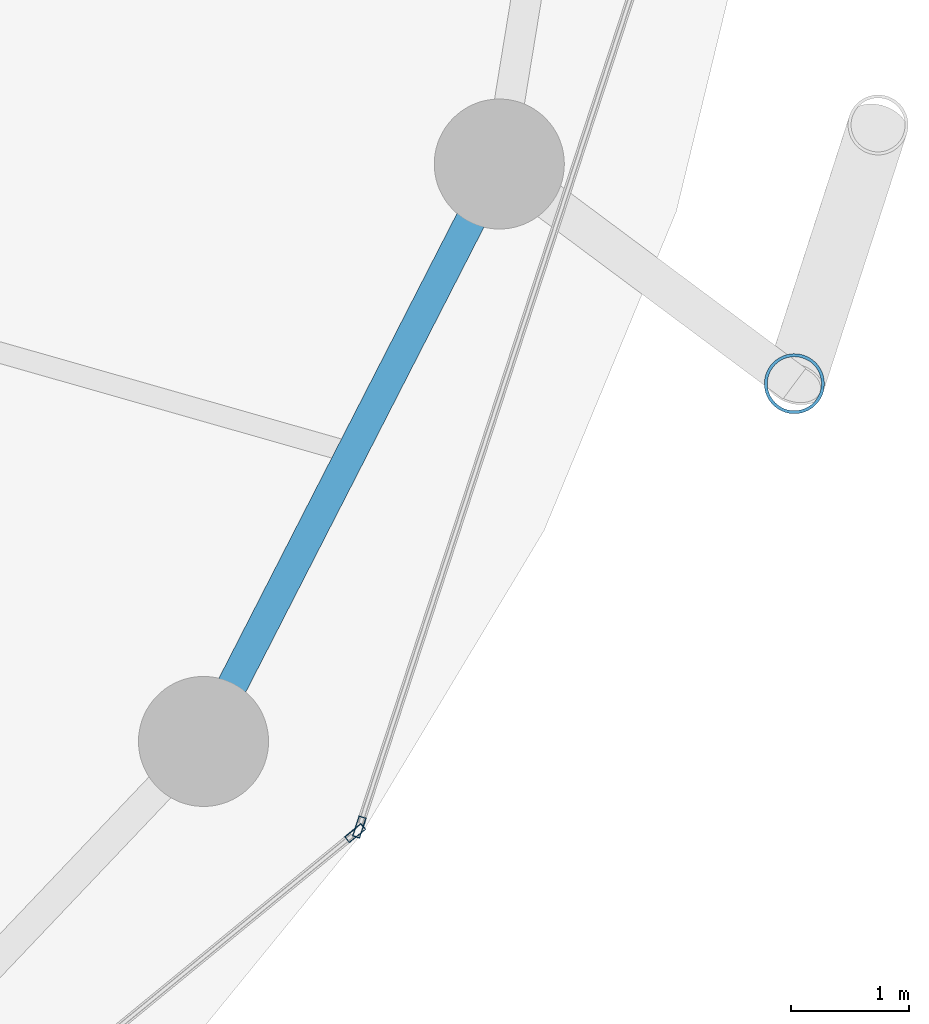
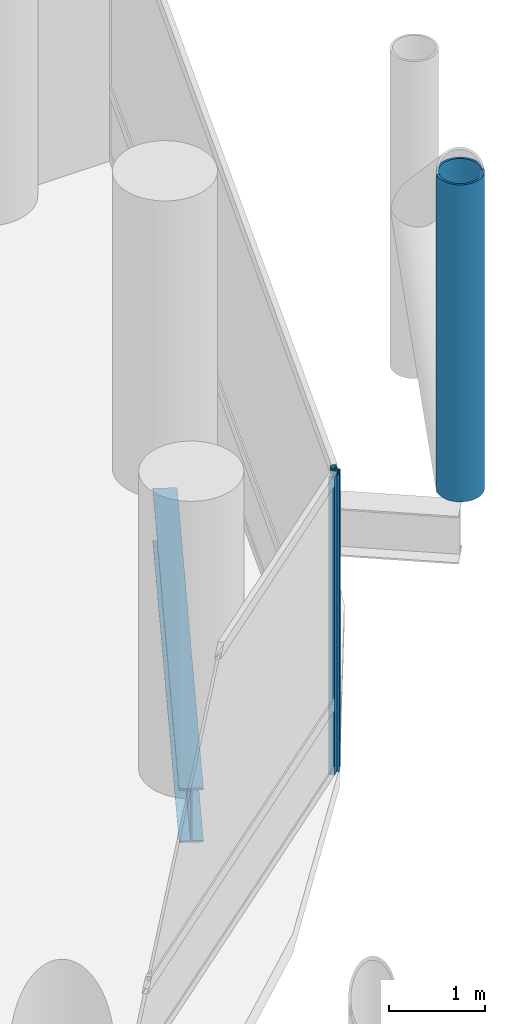
# One storey, part 10 of 24: 3 members, 1 beam, 2 elements without a shape of their own.
"""IFC4 building model written with IfcOpenShell, lengths in metres."""

from ifc_helpers import new_model, si_unit, direction, frame, origin, origin_2d, place, context, subcontext, project, spatial, hollow_rectangle, hollow_circle, i_section, extrude, material, layer, layer_set, material_profile, profile_set, type_object, element, aggregate, save


model = new_model("IFC4")

# Units and contexts
model_context = context("Model", 3, precision=1e-05, world=origin(), true_north=direction((0.0, 1.0)))
body_context = subcontext(model_context, "Body", "Model", "MODEL_VIEW")
ifc_project = project(units=[si_unit("LENGTHUNIT", "METRE"), si_unit("AREAUNIT", "SQUARE_METRE"), si_unit("VOLUMEUNIT", "CUBIC_METRE"), si_unit("PLANEANGLEUNIT", "RADIAN"), si_unit("MASSUNIT", "GRAM", prefix="KILO")], contexts=[model_context])

# Site, building, storey
site_placement = place(None, origin())
site = spatial("IfcSite", under=ifc_project, at=site_placement, CompositionType="ELEMENT")
building_placement = place(site_placement, origin())
building = spatial("IfcBuilding", under=site, at=building_placement, Name="Nuhasar Tower", CompositionType="ELEMENT")
storey_placement = place(building_placement, frame((0.0, 0.0, 69.60009765625)))
storey = spatial("IfcBuildingStorey", under=building, at=storey_placement, Name="L16", CompositionType="ELEMENT", Elevation=69.60009765625)

# Beam
ifc_material_1 = material(Name="Steel S355", Category="steel")
ifc_material_profile_1 = material_profile(ifc_material_1, i_section(OverallWidth=0.256103515625, OverallDepth=0.693115234375, WebThickness=0.014404296875, FlangeThickness=0.023681640625, at=origin_2d()), Name="W27X114")
ifc_profile_set_1 = profile_set([ifc_material_profile_1], Name="Steel S355")
beam_type = type_object("IfcBeamType", Name="BM-RING-W27X114", PredefinedType="SPANDREL", material=ifc_profile_set_1)
beam_placement = place(storey_placement, frame((60.694091796875, 16.675048828125, -0.59716796875), z_axis=(0.455930023905, 0.890015625314, 0.0), x_axis=(-0.890015625314, 0.455930023905, 0.0)))
element("IfcBeam", 1, at=beam_placement, inside=storey, type_object=beam_type, Name="L16 Perimeter Ring Spandrel 23", PredefinedType="SPANDREL", context=body_context, shape_type="SweptSolid", body=[
    extrude(i_section(OverallWidth=0.256103515625, OverallDepth=0.693115234375, WebThickness=0.014404296875, FlangeThickness=0.023681640625, at=origin_2d()), origin(), (0.0, 0.0, 1.0), 5.487548828125),
])

# Curtain wall, member
ifc_material_2 = material(Name="Aluminium 6063-T6", Category="aluminium")
ifc_layer = layer(ifc_material_2, 0.199951171875)
ifc_layer_set = layer_set([ifc_layer], Name="Aluminium 6063-T6")
curtain_wall_type = type_object("IfcCurtainWallType", Name="CW-Z1-OFF", PredefinedType="NOTDEFINED", material=ifc_layer_set)
curtain_wall_1_placement = place(storey_placement, origin())
curtain_wall_1 = element("IfcCurtainWall", 2, at=curtain_wall_1_placement, inside=storey, type_object=curtain_wall_type, Name="L16 Unitised Curtain Wall 11", PredefinedType="NOTDEFINED")
ifc_material_profile_2 = material_profile(ifc_material_2, hollow_rectangle(XDim=0.06494140625, YDim=0.179931640625, WallThickness=0.0048828125, at=origin_2d()), Name="CWM-2")
ifc_profile_set_2 = profile_set([ifc_material_profile_2], Name="Aluminium 6063-T6")
member_type_1 = type_object("IfcMemberType", Name="CW-MUL-S2", PredefinedType="MULLION", material=ifc_profile_set_2)
member_1_placement = place(storey_placement, frame((61.976806640625, 15.8994140625, 0.0), z_axis=(0.0, 0.0, 1.0), x_axis=(-0.633744593376, 0.773542364946, 0.0)))
member_1 = element("IfcMember", 3, at=member_1_placement, type_object=member_type_1, Name="CW-Z1 mullion 2", PredefinedType="MULLION", context=body_context, shape_type="SweptSolid", body=[
    extrude(hollow_rectangle(XDim=0.06494140625, YDim=0.179931640625, WallThickness=0.0048828125, at=origin_2d()), origin(), (0.0, 0.0, 1.0), 3.7998046875),
])
aggregate(curtain_wall_1, [member_1])

curtain_wall_2_placement = place(storey_placement, origin())
curtain_wall_2 = element("IfcCurtainWall", 4, at=curtain_wall_2_placement, inside=storey, type_object=curtain_wall_type, Name="L16 Unitised Curtain Wall 12", PredefinedType="NOTDEFINED")
member_2_placement = place(storey_placement, frame((62.01220703125, 15.950927734375, 0.0), z_axis=(0.0, 0.0, 1.0), x_axis=(-0.950467534571, 0.310823849997, 0.0)))
member_2 = element("IfcMember", 5, at=member_2_placement, type_object=member_type_1, Name="CW-Z1 mullion 1", PredefinedType="MULLION", context=body_context, shape_type="SweptSolid", body=[
    extrude(hollow_rectangle(XDim=0.06494140625, YDim=0.179931640625, WallThickness=0.0048828125, at=origin_2d()), origin(), (0.0, 0.0, 1.0), 3.7998046875),
])
aggregate(curtain_wall_2, [member_2])

# Member
ifc_material_3 = material(Name="Steel S460", Category="steel")
ifc_material_profile_3 = material_profile(ifc_material_3, hollow_circle(Radius=0.25390625, WallThickness=0.025390625, at=origin_2d()), Name="HSS508X25.4")
ifc_profile_set_3 = profile_set([ifc_material_profile_3], Name="Steel S460")
member_type_2 = type_object("IfcMemberType", Name="EXO-BRONZE-508", PredefinedType="BRACE", material=ifc_profile_set_3)
member_3_placement = place(storey_placement, frame((65.69189453125, 19.700927734375, 0.0), z_axis=(0.0, 0.0, 1.0), x_axis=(1.0, 0.0, 0.0)))
element("IfcMember", 6, at=member_3_placement, inside=storey, type_object=member_type_2, Name="L16 Exoskeleton Chord Column EC-12A", PredefinedType="BRACE", context=body_context, shape_type="SweptSolid", body=[
    extrude(hollow_circle(Radius=0.25390625, WallThickness=0.025390625, at=origin_2d()), origin(), (0.0, 0.0, 1.0), 4.0498046875),
])

save(model, "model.ifc")
